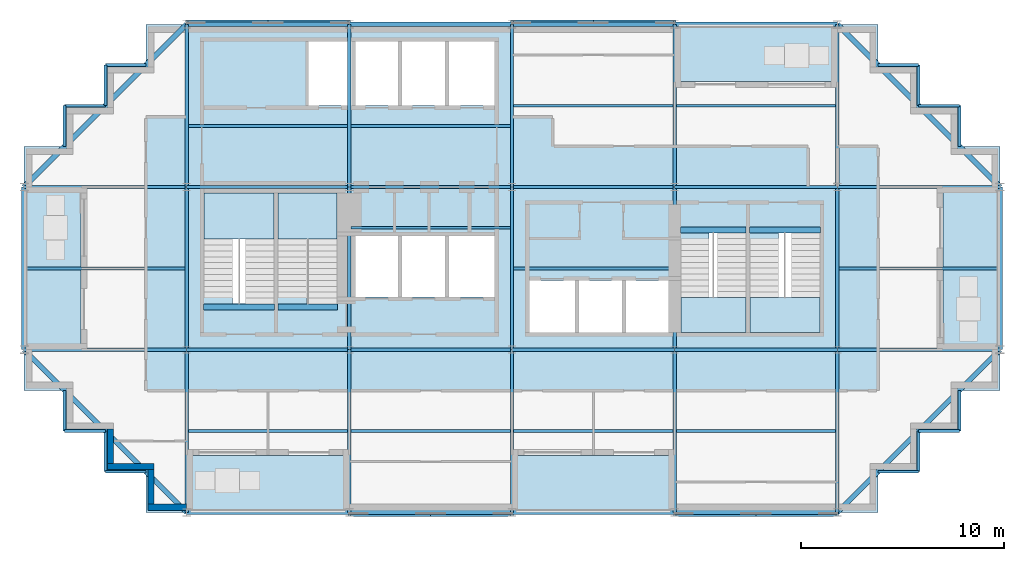
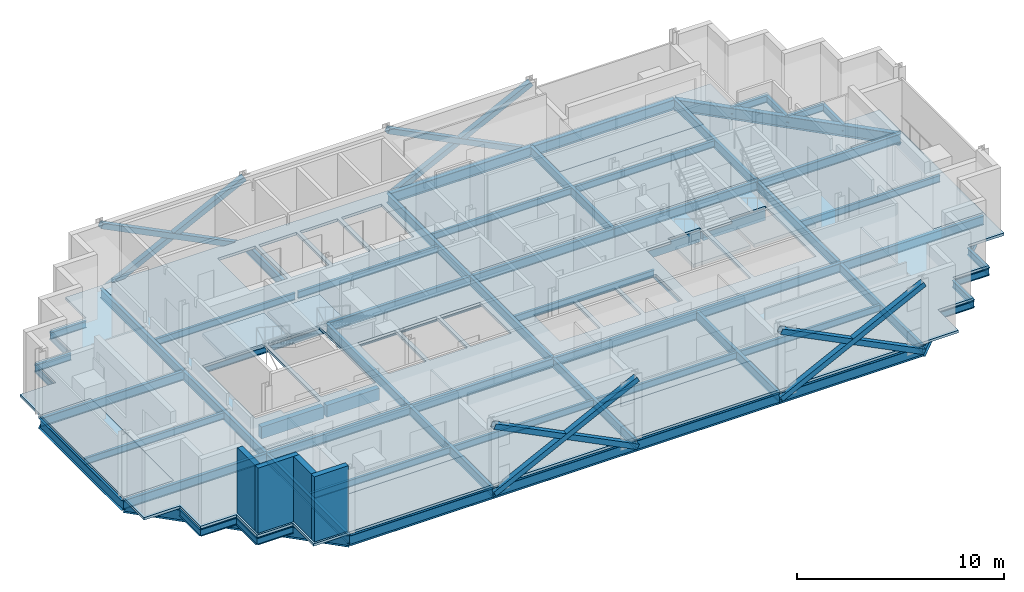
# One storey, part 3 of 10: 73 beams, 12 slabs, 8 members, 4 walls, 4 elements without a shape of their own.
"""IFC4 building model written with IfcOpenShell, lengths in metres."""

from ifc_helpers import new_model, si_unit, direction, frame, frame_2d, origin, origin_2d, place, context, subcontext, project, spatial, polyline, rectangle, hollow_rectangle, i_section, outline, extrude, material, layer, layer_set, material_profile, profile_set, type_object, element, aggregate, save


model = new_model("IFC4")

# Units and contexts
model_context = context("Model", 3, precision=1e-05, world=origin(), true_north=direction((0.0, 1.0)))
body_context = subcontext(model_context, "Body", "Model", "MODEL_VIEW")
ifc_project = project(units=[si_unit("LENGTHUNIT", "METRE"), si_unit("AREAUNIT", "SQUARE_METRE"), si_unit("VOLUMEUNIT", "CUBIC_METRE"), si_unit("PLANEANGLEUNIT", "RADIAN"), si_unit("MASSUNIT", "GRAM", prefix="KILO")], contexts=[model_context])

# Site, building, storey
site_placement = place(None, origin())
site = spatial("IfcSite", under=ifc_project, at=site_placement, CompositionType="ELEMENT")
building_placement = place(site_placement, origin())
building = spatial("IfcBuilding", under=site, at=building_placement, Name="Immortelle Media Tower", CompositionType="ELEMENT")
storey_placement = place(building_placement, frame((0.0, 0.0, 251.0)))
storey = spatial("IfcBuildingStorey", under=building, at=storey_placement, Name="L54", CompositionType="ELEMENT", Elevation=251.0)

# Members
ifc_material_1 = material(Name="Steel ASTM A500 Gr C", Category="steel")
ifc_material_profile_1 = material_profile(ifc_material_1, hollow_rectangle(XDim=0.304931640625, YDim=0.304931640625, WallThickness=0.011962890625, at=origin_2d()), Name="HSS12x12x1/2 brace")
ifc_profile_set_1 = profile_set([ifc_material_profile_1], Name="Steel ASTM A500 Gr C")
member_type = type_object("IfcMemberType", Name="HSS12x12x1/2 brace", PredefinedType="BRACE", material=ifc_profile_set_1)
for number, where, z_axis, x_axis, name in (
    (1, (16.0, -0.0625, -0.4560546875), (0.894427191, 0.0, 0.4472135955), (0.0, 1.0, 0.0), "Brace A/3-4 A"),
    (2, (16.0, -0.0625, 3.5439453125), (0.894427191, 0.0, -0.4472135955), (0.0, 1.0, 0.0), "Brace A/3-4 B"),
    (3, (32.0, -0.0625, -0.4560546875), (0.894427191, 0.0, 0.4472135955), (0.0, 1.0, 0.0), "Brace A/5-6 A"),
    (4, (32.0, -0.0625, 3.5439453125), (0.894427191, 0.0, -0.4472135955), (0.0, 1.0, 0.0), "Brace A/5-6 B"),
    (5, (32.0, 24.0625, -0.4560546875), (-0.894427191, 0.0, 0.4472135955), (0.0, -1.0, 0.0), "Brace D/4-5 A"),
    (6, (32.0, 24.0625, 3.5439453125), (-0.894427191, 0.0, -0.4472135955), (0.0, -1.0, 0.0), "Brace D/4-5 B"),
    (7, (16.0, 24.0625, -0.4560546875), (-0.894427191, 0.0, 0.4472135955), (0.0, -1.0, 0.0), "Brace D/2-3 A"),
    (8, (16.0, 24.0625, 3.5439453125), (-0.894427191, 0.0, -0.4472135955), (0.0, -1.0, 0.0), "Brace D/2-3 B"),
):
    element("IfcMember", number, at=place(storey_placement, frame(where, z_axis=z_axis, x_axis=x_axis)), inside=storey, type_object=member_type, Name=name, PredefinedType="BRACE", context=body_context, shape_type="SweptSolid", body=[
        extrude(hollow_rectangle(XDim=0.304931640625, YDim=0.304931640625, WallThickness=0.011962890625, at=origin_2d()), origin(), (0.0, 0.0, 1.0), 8.9443359375),
    ])

# Beams
ifc_material_2 = material(Name="Concrete C50/60", Category="concrete")
ifc_material_profile_2 = material_profile(ifc_material_2, rectangle(XDim=0.300048828125, YDim=0.699951171875, at=origin_2d()), Name="RC 300x700")
ifc_profile_set_2 = profile_set([ifc_material_profile_2], Name="Concrete C50/60")
beam_type_1 = type_object("IfcBeamType", Name="Stair trimmer beam 300 x 700", PredefinedType="BEAM", material=ifc_profile_set_2)
beam_1_placement = place(storey_placement, frame((8.830078125, 10.10498046875, -0.5), z_axis=(1.0, 0.0, 0.0), x_axis=(0.0, 1.0, 0.0)))
element("IfcBeam", 9, at=beam_1_placement, inside=storey, type_object=beam_type_1, Name="Stair trimmer beam SW1", PredefinedType="BEAM", context=body_context, shape_type="SweptSolid", body=[
    extrude(rectangle(XDim=0.300048828125, YDim=0.699951171875, at=origin_2d()), origin(), (0.0, 0.0, 1.0), 3.489990234375),
])
beam_2_placement = place(storey_placement, frame((12.47998046875, 10.10498046875, -0.5), z_axis=(1.0, 0.0, 0.0), x_axis=(0.0, 1.0, 0.0)))
element("IfcBeam", 10, at=beam_2_placement, inside=storey, type_object=beam_type_1, Name="Stair trimmer beam SW2", PredefinedType="BEAM", context=body_context, shape_type="SweptSolid", body=[
    extrude(rectangle(XDim=0.300048828125, YDim=0.699951171875, at=origin_2d()), origin(), (0.0, 0.0, 1.0), 2.93994140625),
])
beam_3_placement = place(storey_placement, frame((32.280029296875, 13.89501953125, -0.5), z_axis=(1.0, 0.0, 0.0), x_axis=(0.0, 1.0, 0.0)))
element("IfcBeam", 11, at=beam_3_placement, inside=storey, type_object=beam_type_1, Name="Stair trimmer beam SE1", PredefinedType="BEAM", context=body_context, shape_type="SweptSolid", body=[
    extrude(rectangle(XDim=0.300048828125, YDim=0.699951171875, at=origin_2d()), origin(), (0.0, 0.0, 1.0), 3.239990234375),
])
beam_4_placement = place(storey_placement, frame((35.679931640625, 13.89501953125, -0.5), z_axis=(1.0, 0.0, 0.0), x_axis=(0.0, 1.0, 0.0)))
element("IfcBeam", 12, at=beam_4_placement, inside=storey, type_object=beam_type_1, Name="Stair trimmer beam SE2", PredefinedType="BEAM", context=body_context, shape_type="SweptSolid", body=[
    extrude(rectangle(XDim=0.300048828125, YDim=0.699951171875, at=origin_2d()), origin(), (0.0, 0.0, 1.0), 3.489990234375),
])
ifc_material_3 = material(Name="Steel ASTM A992 Gr 50", Category="steel")
ifc_material_profile_3 = material_profile(ifc_material_3, i_section(OverallWidth=0.139892578125, OverallDepth=0.404052734375, WebThickness=0.007080078125, FlangeThickness=0.010986328125, at=origin_2d()), Name="W16x31")
ifc_profile_set_3 = profile_set([ifc_material_profile_3], Name="Steel ASTM A992 Gr 50")
beam_type_2 = type_object("IfcBeamType", Name="W16x31 secondary beam", PredefinedType="JOIST", material=ifc_profile_set_3)
for number, where, z_axis, x_axis, name in (
    (13, (8.08349609375, 4.0, -0.35205078125), (1.0, 0.0, 0.0), (0.0, 1.0, 0.0), "Beam A-B/2-3"),
    (14, (16.08349609375, 4.0, -0.35205078125), (1.0, 0.0, 0.0), (0.0, 1.0, 0.0), "Beam A-B/3-4"),
    (15, (24.08349609375, 4.0, -0.35205078125), (1.0, 0.0, 0.0), (0.0, 1.0, 0.0), "Beam A-B/4-5"),
    (16, (32.08349609375, 4.0, -0.35205078125), (1.0, 0.0, 0.0), (0.0, 1.0, 0.0), "Beam A-B/5-6"),
):
    element("IfcBeam", number, at=place(storey_placement, frame(where, z_axis=z_axis, x_axis=x_axis)), inside=storey, type_object=beam_type_2, Name=name, PredefinedType="JOIST", context=body_context, shape_type="SweptSolid", body=[
        extrude(i_section(OverallWidth=0.139892578125, OverallDepth=0.404052734375, WebThickness=0.007080078125, FlangeThickness=0.010986328125, at=origin_2d()), origin(), (0.0, 0.0, 1.0), 7.8330078125),
    ])
beam_5_placement = place(storey_placement, frame((0.114501953125, 12.0, -0.35205078125), z_axis=(1.0, 0.0, 0.0), x_axis=(0.0, 1.0, 0.0)))
element("IfcBeam", 17, at=beam_5_placement, inside=storey, type_object=beam_type_2, Name="Beam B-C/1-2", PredefinedType="JOIST", context=body_context, shape_type="SweptSolid", body=[
    extrude(i_section(OverallWidth=0.139892578125, OverallDepth=0.404052734375, WebThickness=0.007080078125, FlangeThickness=0.010986328125, at=origin_2d()), origin(), (0.0, 0.0, 1.0), 7.802001953125),
])
for number, where, z_axis, x_axis, name in (
    (18, (16.08349609375, 14.0, -0.35205078125), (1.0, 0.0, 0.0), (0.0, 1.0, 0.0), "Beam B-C/3-4"),
    (19, (24.08349609375, 12.0, -0.35205078125), (1.0, 0.0, 0.0), (0.0, 1.0, 0.0), "Beam B-C/4-5"),
):
    element("IfcBeam", number, at=place(storey_placement, frame(where, z_axis=z_axis, x_axis=x_axis)), inside=storey, type_object=beam_type_2, Name=name, PredefinedType="JOIST", context=body_context, shape_type="SweptSolid", body=[
        extrude(i_section(OverallWidth=0.139892578125, OverallDepth=0.404052734375, WebThickness=0.007080078125, FlangeThickness=0.010986328125, at=origin_2d()), origin(), (0.0, 0.0, 1.0), 7.8330078125),
    ])
beam_6_placement = place(storey_placement, frame((40.08349609375, 12.0, -0.35205078125), z_axis=(1.0, 0.0, 0.0), x_axis=(0.0, 1.0, 0.0)))
element("IfcBeam", 20, at=beam_6_placement, inside=storey, type_object=beam_type_2, Name="Beam B-C/6-7", PredefinedType="JOIST", context=body_context, shape_type="SweptSolid", body=[
    extrude(i_section(OverallWidth=0.139892578125, OverallDepth=0.404052734375, WebThickness=0.007080078125, FlangeThickness=0.010986328125, at=origin_2d()), origin(), (0.0, 0.0, 1.0), 7.802001953125),
])
for number, where, z_axis, x_axis, name in (
    (21, (8.08349609375, 19.0, -0.35205078125), (1.0, 0.0, 0.0), (0.0, 1.0, 0.0), "Beam C-D/2-3"),
    (22, (16.08349609375, 19.0, -0.35205078125), (1.0, 0.0, 0.0), (0.0, 1.0, 0.0), "Beam C-D/3-4"),
    (23, (24.08349609375, 20.0, -0.35205078125), (1.0, 0.0, 0.0), (0.0, 1.0, 0.0), "Beam C-D/4-5"),
    (24, (32.08349609375, 20.0, -0.35205078125), (1.0, 0.0, 0.0), (0.0, 1.0, 0.0), "Beam C-D/5-6"),
):
    element("IfcBeam", number, at=place(storey_placement, frame(where, z_axis=z_axis, x_axis=x_axis)), inside=storey, type_object=beam_type_2, Name=name, PredefinedType="JOIST", context=body_context, shape_type="SweptSolid", body=[
        extrude(i_section(OverallWidth=0.139892578125, OverallDepth=0.404052734375, WebThickness=0.007080078125, FlangeThickness=0.010986328125, at=origin_2d()), origin(), (0.0, 0.0, 1.0), 7.8330078125),
    ])
ifc_material_profile_4 = material_profile(ifc_material_3, i_section(OverallWidth=0.139892578125, OverallDepth=0.404052734375, WebThickness=0.007080078125, FlangeThickness=0.010986328125, at=origin_2d()), Name="W16x31")
ifc_profile_set_4 = profile_set([ifc_material_profile_4], Name="Steel ASTM A992 Gr 50")
beam_type_3 = type_object("IfcBeamType", Name="W16x31 serration edge beam", PredefinedType="SPANDREL", material=ifc_profile_set_4)
for number, where, z_axis, x_axis, name in (
    (25, (6.0, 2.0, -0.35205078125), (-1.0, 0.0, 0.0), (0.0, -1.0, 0.0), "Corner edge beam 1 at 1/A"),
    (26, (4.0, 2.0, -0.35205078125), (0.0, 1.0, 0.0), (-1.0, 0.0, 0.0), "Corner edge beam 2 at 1/A"),
    (27, (4.0, 4.0, -0.35205078125), (-1.0, 0.0, 0.0), (0.0, -1.0, 0.0), "Corner edge beam 3 at 1/A"),
    (28, (2.0, 4.0, -0.35205078125), (0.0, 1.0, 0.0), (-1.0, 0.0, 0.0), "Corner edge beam 4 at 1/A"),
    (29, (2.0, 18.0, -0.35205078125), (0.0, 1.0, 0.0), (-1.0, 0.0, 0.0), "Corner edge beam 1 at 1/D"),
    (30, (2.0, 20.0, -0.35205078125), (1.0, 0.0, 0.0), (0.0, 1.0, 0.0), "Corner edge beam 2 at 1/D"),
    (31, (4.0, 20.0, -0.35205078125), (0.0, 1.0, 0.0), (-1.0, 0.0, 0.0), "Corner edge beam 3 at 1/D"),
    (32, (4.0, 22.0, -0.35205078125), (1.0, 0.0, 0.0), (0.0, 1.0, 0.0), "Corner edge beam 4 at 1/D"),
    (33, (46.0, 6.0, -0.35205078125), (0.0, -1.0, 0.0), (1.0, 0.0, 0.0), "Corner edge beam 1 at 7/A"),
    (34, (46.0, 4.0, -0.35205078125), (-1.0, 0.0, 0.0), (0.0, -1.0, 0.0), "Corner edge beam 2 at 7/A"),
    (35, (44.0, 4.0, -0.35205078125), (0.0, -1.0, 0.0), (1.0, 0.0, 0.0), "Corner edge beam 3 at 7/A"),
    (36, (44.0, 2.0, -0.35205078125), (-1.0, 0.0, 0.0), (0.0, -1.0, 0.0), "Corner edge beam 4 at 7/A"),
    (37, (42.0, 22.0, -0.35205078125), (1.0, 0.0, 0.0), (0.0, 1.0, 0.0), "Corner edge beam 1 at 7/D"),
    (38, (44.0, 22.0, -0.35205078125), (0.0, -1.0, 0.0), (1.0, 0.0, 0.0), "Corner edge beam 2 at 7/D"),
    (39, (44.0, 20.0, -0.35205078125), (1.0, 0.0, 0.0), (0.0, 1.0, 0.0), "Corner edge beam 3 at 7/D"),
    (40, (46.0, 20.0, -0.35205078125), (0.0, -1.0, 0.0), (1.0, 0.0, 0.0), "Corner edge beam 4 at 7/D"),
):
    element("IfcBeam", number, at=place(storey_placement, frame(where, z_axis=z_axis, x_axis=x_axis)), inside=storey, type_object=beam_type_3, Name=name, PredefinedType="SPANDREL", context=body_context, shape_type="SweptSolid", body=[
        extrude(i_section(OverallWidth=0.139892578125, OverallDepth=0.404052734375, WebThickness=0.007080078125, FlangeThickness=0.010986328125, at=origin_2d()), origin(), (0.0, 0.0, 1.0), 2.0),
    ])
ifc_material_profile_5 = material_profile(ifc_material_3, i_section(OverallWidth=0.1669921875, OverallDepth=0.535888671875, WebThickness=0.010009765625, FlangeThickness=0.01708984375, at=origin_2d()), Name="W21x57")
ifc_profile_set_5 = profile_set([ifc_material_profile_5], Name="Steel ASTM A992 Gr 50")
beam_type_4 = type_object("IfcBeamType", Name="W21x57 girder", PredefinedType="BEAM", material=ifc_profile_set_5)
for number, where, z_axis, x_axis, name in (
    (41, (0.0, 8.0, -0.41796875), (1.0, 0.0, 0.0), (0.0, 1.0, 0.0), "Girder B/1-2"),
    (42, (0.0, 16.0, -0.41796875), (1.0, 0.0, 0.0), (0.0, 1.0, 0.0), "Girder C/1-2"),
    (43, (8.0, 0.0, -0.41796875), (0.0, 1.0, 0.0), (-1.0, 0.0, 0.0), "Girder 2/A-B"),
    (44, (8.0, 8.0, -0.41796875), (1.0, 0.0, 0.0), (0.0, 1.0, 0.0), "Girder B/2-3"),
    (45, (8.0, 8.0, -0.41796875), (0.0, 1.0, 0.0), (-1.0, 0.0, 0.0), "Girder 2/B-C"),
    (46, (8.0, 16.0, -0.41796875), (1.0, 0.0, 0.0), (0.0, 1.0, 0.0), "Girder C/2-3"),
    (47, (8.0, 16.0, -0.41796875), (0.0, 1.0, 0.0), (-1.0, 0.0, 0.0), "Girder 2/C-D"),
    (48, (16.0, 0.0, -0.41796875), (0.0, 1.0, 0.0), (-1.0, 0.0, 0.0), "Girder 3/A-B"),
    (49, (16.0, 8.0, -0.41796875), (1.0, 0.0, 0.0), (0.0, 1.0, 0.0), "Girder B/3-4"),
    (50, (16.0, 8.0, -0.41796875), (0.0, 1.0, 0.0), (-1.0, 0.0, 0.0), "Girder 3/B-C"),
    (51, (16.0, 16.0, -0.41796875), (1.0, 0.0, 0.0), (0.0, 1.0, 0.0), "Girder C/3-4"),
    (52, (16.0, 16.0, -0.41796875), (0.0, 1.0, 0.0), (-1.0, 0.0, 0.0), "Girder 3/C-D"),
    (53, (24.0, 0.0, -0.41796875), (0.0, 1.0, 0.0), (-1.0, 0.0, 0.0), "Girder 4/A-B"),
    (54, (24.0, 8.0, -0.41796875), (1.0, 0.0, 0.0), (0.0, 1.0, 0.0), "Girder B/4-5"),
    (55, (24.0, 8.0, -0.41796875), (0.0, 1.0, 0.0), (-1.0, 0.0, 0.0), "Girder 4/B-C"),
    (56, (24.0, 16.0, -0.41796875), (1.0, 0.0, 0.0), (0.0, 1.0, 0.0), "Girder C/4-5"),
    (57, (24.0, 16.0, -0.41796875), (0.0, 1.0, 0.0), (-1.0, 0.0, 0.0), "Girder 4/C-D"),
    (58, (32.0, 0.0, -0.41796875), (0.0, 1.0, 0.0), (-1.0, 0.0, 0.0), "Girder 5/A-B"),
    (59, (32.0, 8.0, -0.41796875), (1.0, 0.0, 0.0), (0.0, 1.0, 0.0), "Girder B/5-6"),
    (60, (32.0, 8.0, -0.41796875), (0.0, 1.0, 0.0), (-1.0, 0.0, 0.0), "Girder 5/B-C"),
    (61, (32.0, 16.0, -0.41796875), (1.0, 0.0, 0.0), (0.0, 1.0, 0.0), "Girder C/5-6"),
    (62, (32.0, 16.0, -0.41796875), (0.0, 1.0, 0.0), (-1.0, 0.0, 0.0), "Girder 5/C-D"),
    (63, (40.0, 0.0, -0.41796875), (0.0, 1.0, 0.0), (-1.0, 0.0, 0.0), "Girder 6/A-B"),
    (64, (40.0, 8.0, -0.41796875), (1.0, 0.0, 0.0), (0.0, 1.0, 0.0), "Girder B/6-7"),
    (65, (40.0, 8.0, -0.41796875), (0.0, 1.0, 0.0), (-1.0, 0.0, 0.0), "Girder 6/B-C"),
    (66, (40.0, 16.0, -0.41796875), (1.0, 0.0, 0.0), (0.0, 1.0, 0.0), "Girder C/6-7"),
    (67, (40.0, 16.0, -0.41796875), (0.0, 1.0, 0.0), (-1.0, 0.0, 0.0), "Girder 6/C-D"),
):
    element("IfcBeam", number, at=place(storey_placement, frame(where, z_axis=z_axis, x_axis=x_axis)), inside=storey, type_object=beam_type_4, Name=name, PredefinedType="BEAM", context=body_context, shape_type="SweptSolid", body=[
        extrude(i_section(OverallWidth=0.1669921875, OverallDepth=0.535888671875, WebThickness=0.010009765625, FlangeThickness=0.01708984375, at=origin_2d()), origin(), (0.0, 0.0, 1.0), 8.0),
    ])
ifc_material_profile_6 = material_profile(ifc_material_3, i_section(OverallWidth=0.22900390625, OverallDepth=0.612060546875, WebThickness=0.011962890625, FlangeThickness=0.02001953125, at=origin_2d()), Name="W24x84")
ifc_profile_set_6 = profile_set([ifc_material_profile_6], Name="Steel ASTM A992 Gr 50")
beam_type_5 = type_object("IfcBeamType", Name="W24x84 perimeter girder", PredefinedType="SPANDREL", material=ifc_profile_set_6)
for number, where, z_axis, x_axis, name in (
    (68, (0.0, 8.0, -0.4560546875), (0.0, 1.0, 0.0), (-1.0, 0.0, 0.0), "Girder 1/B-C"),
    (69, (8.0, 0.0, -0.4560546875), (1.0, 0.0, 0.0), (0.0, 1.0, 0.0), "Girder A/2-3"),
    (70, (8.0, 24.0, -0.4560546875), (1.0, 0.0, 0.0), (0.0, 1.0, 0.0), "Girder D/2-3"),
    (71, (16.0, 0.0, -0.4560546875), (1.0, 0.0, 0.0), (0.0, 1.0, 0.0), "Girder A/3-4"),
    (72, (16.0, 24.0, -0.4560546875), (1.0, 0.0, 0.0), (0.0, 1.0, 0.0), "Girder D/3-4"),
    (73, (24.0, 0.0, -0.4560546875), (1.0, 0.0, 0.0), (0.0, 1.0, 0.0), "Girder A/4-5"),
    (74, (24.0, 24.0, -0.4560546875), (1.0, 0.0, 0.0), (0.0, 1.0, 0.0), "Girder D/4-5"),
    (75, (32.0, 0.0, -0.4560546875), (1.0, 0.0, 0.0), (0.0, 1.0, 0.0), "Girder A/5-6"),
    (76, (32.0, 24.0, -0.4560546875), (1.0, 0.0, 0.0), (0.0, 1.0, 0.0), "Girder D/5-6"),
    (77, (48.0, 8.0, -0.4560546875), (0.0, 1.0, 0.0), (-1.0, 0.0, 0.0), "Girder 7/B-C"),
):
    element("IfcBeam", number, at=place(storey_placement, frame(where, z_axis=z_axis, x_axis=x_axis)), inside=storey, type_object=beam_type_5, Name=name, PredefinedType="SPANDREL", context=body_context, shape_type="SweptSolid", body=[
        extrude(i_section(OverallWidth=0.22900390625, OverallDepth=0.612060546875, WebThickness=0.011962890625, FlangeThickness=0.02001953125, at=origin_2d()), origin(), (0.0, 0.0, 1.0), 8.0),
    ])
ifc_material_profile_7 = material_profile(ifc_material_3, i_section(OverallWidth=0.2529296875, OverallDepth=0.677978515625, WebThickness=0.011962890625, FlangeThickness=0.01611328125, at=origin_2d()), Name="W27x84")
ifc_profile_set_7 = profile_set([ifc_material_profile_7], Name="Steel ASTM A992 Gr 50")
beam_type_6 = type_object("IfcBeamType", Name="W27x84 corner girder", PredefinedType="SPANDREL", material=ifc_profile_set_7)
for number, where, z_axis, x_axis, name in (
    (78, (8.0, 0.0, -0.489013671875), (-0.707106781187, 0.707106781187, 0.0), (-0.707106781187, -0.707106781187, 0.0), "Corner girder at 1/A"),
    (79, (0.0, 16.0, -0.489013671875), (0.707106781187, 0.707106781187, 0.0), (-0.707106781187, 0.707106781187, 0.0), "Corner girder at 1/D"),
    (80, (48.0, 8.0, -0.489013671875), (-0.707106781187, -0.707106781187, 0.0), (0.707106781187, -0.707106781187, 0.0), "Corner girder at 7/A"),
    (81, (40.0, 24.0, -0.489013671875), (0.707106781187, -0.707106781187, 0.0), (0.707106781187, 0.707106781187, 0.0), "Corner girder at 7/D"),
):
    element("IfcBeam", number, at=place(storey_placement, frame(where, z_axis=z_axis, x_axis=x_axis)), inside=storey, type_object=beam_type_6, Name=name, PredefinedType="SPANDREL", context=body_context, shape_type="SweptSolid", body=[
        extrude(i_section(OverallWidth=0.2529296875, OverallDepth=0.677978515625, WebThickness=0.011962890625, FlangeThickness=0.01611328125, at=origin_2d()), origin(), (0.0, 0.0, 1.0), 11.313720703125),
    ])

# Slabs
ifc_material_4 = material(Name="Concrete C50/60 composite deck", Category="concrete")
ifc_layer_1 = layer(ifc_material_4, 0.14990234375)
ifc_layer_set_1 = layer_set([ifc_layer_1], Name="Concrete C50/60 composite deck")
slab_type_1 = type_object("IfcSlabType", Name="Balcony slab 150", PredefinedType="FLOOR", material=ifc_layer_set_1)
slab_1_placement = place(storey_placement, frame((0.0, 0.0, -0.14990234375)))
element("IfcSlab", 82, at=slab_1_placement, inside=storey, type_object=slab_type_1, Name="Balcony slab L54 S0", PredefinedType="FLOOR", context=body_context, shape_type="SweptSolid", body=[
    extrude(outline(polyline([(16.0, 0.0), (16.0, 2.800048828125), (8.0, 2.800048828125), (8.0, 0.0), (16.0, 0.0)])), origin(), (0.0, 0.0, 1.0), 0.14990234375),
])
slab_2_placement = place(storey_placement, frame((0.0, 0.0, -0.14990234375)))
element("IfcSlab", 83, at=slab_2_placement, inside=storey, type_object=slab_type_1, Name="Balcony slab L54 S2", PredefinedType="FLOOR", context=body_context, shape_type="SweptSolid", body=[
    extrude(outline(polyline([(32.0, 0.0), (32.0, 2.800048828125), (24.0, 2.800048828125), (24.0, 0.0), (32.0, 0.0)])), origin(), (0.0, 0.0, 1.0), 0.14990234375),
])
slab_3_placement = place(storey_placement, frame((0.0, 0.0, -0.14990234375)))
element("IfcSlab", 84, at=slab_3_placement, inside=storey, type_object=slab_type_1, Name="Balcony slab L54 E0", PredefinedType="FLOOR", context=body_context, shape_type="SweptSolid", body=[
    extrude(outline(polyline([(48.0, 8.0), (48.0, 16.0), (45.199951171875, 16.0), (45.199951171875, 8.0), (48.0, 8.0)])), origin(), (0.0, 0.0, 1.0), 0.14990234375),
])
slab_4_placement = place(storey_placement, frame((0.0, 0.0, -0.14990234375)))
element("IfcSlab", 85, at=slab_4_placement, inside=storey, type_object=slab_type_1, Name="Balcony slab L54 N0", PredefinedType="FLOOR", context=body_context, shape_type="SweptSolid", body=[
    extrude(outline(polyline([(40.0, 21.199951171875), (40.0, 24.0), (32.0, 24.0), (32.0, 21.199951171875), (40.0, 21.199951171875)])), origin(), (0.0, 0.0, 1.0), 0.14990234375),
])
slab_5_placement = place(storey_placement, frame((0.0, 0.0, -0.14990234375)))
element("IfcSlab", 86, at=slab_5_placement, inside=storey, type_object=slab_type_1, Name="Balcony slab L54 W0", PredefinedType="FLOOR", context=body_context, shape_type="SweptSolid", body=[
    extrude(outline(polyline([(2.800048828125, 8.0), (2.800048828125, 16.0), (0.0, 16.0), (0.0, 8.0), (2.800048828125, 8.0)])), origin(), (0.0, 0.0, 1.0), 0.14990234375),
])
ifc_layer_2 = layer(ifc_material_2, 0.14990234375)
ifc_layer_set_2 = layer_set([ifc_layer_2], Name="Concrete C50/60")
slab_type_2 = type_object("IfcSlabType", Name="Composite floor slab 150", PredefinedType="FLOOR", material=ifc_layer_set_2)
slab_6_placement = place(storey_placement, frame((0.0, 0.0, -0.14990234375)))
element("IfcSlab", 87, at=slab_6_placement, inside=storey, type_object=slab_type_2, Name="Floor slab L54", PredefinedType="FLOOR", context=body_context, shape_type="SweptSolid", body=[
    extrude(outline(polyline([(6.0, 0.0), (6.0, 2.0), (4.0, 2.0), (4.0, 4.0), (2.0, 4.0), (2.0, 6.0), (0.0, 6.0), (0.0, 8.0), (2.800048828125, 8.0), (2.800048828125, 16.0), (0.0, 16.0), (0.0, 18.0), (2.0, 18.0), (2.0, 20.0), (4.0, 20.0), (4.0, 22.0), (6.0, 22.0), (6.0, 24.0), (8.0, 24.0), (8.0, 8.0), (24.0, 8.0), (40.0, 8.0), (40.0, 16.0), (24.0, 16.0), (24.0, 21.199951171875), (24.0, 24.0), (32.0, 24.0), (32.0, 21.199951171875), (40.0, 21.199951171875), (40.0, 24.0), (42.0, 24.0), (42.0, 22.0), (44.0, 22.0), (44.0, 20.0), (46.0, 20.0), (46.0, 18.0), (48.0, 18.0), (48.0, 16.0), (45.199951171875, 16.0), (45.199951171875, 8.0), (48.0, 8.0), (48.0, 6.0), (46.0, 6.0), (46.0, 4.0), (44.0, 4.0), (44.0, 2.0), (42.0, 2.0), (42.0, 0.0), (32.0, 0.0), (32.0, 2.800048828125), (24.0, 2.800048828125), (24.0, 0.0), (16.0, 0.0), (16.0, 2.800048828125), (8.0, 2.800048828125), (8.0, 0.0), (6.0, 0.0)])), origin(), (0.0, 0.0, 1.0), 0.14990234375),
])
ifc_layer_3 = layer(ifc_material_2, 0.14990234375)
ifc_layer_set_3 = layer_set([ifc_layer_3], Name="Concrete C50/60")
slab_type_3 = type_object("IfcSlabType", Name="Core floor slab 150", PredefinedType="FLOOR", material=ifc_layer_set_3)
slab_7_placement = place(storey_placement, frame((0.0, 0.0, -0.14990234375)))
element("IfcSlab", 88, at=slab_7_placement, inside=storey, type_object=slab_type_3, Name="Core floor SW", PredefinedType="FLOOR", context=body_context, shape_type="SweptSolid", body=[
    extrude(outline(polyline([(8.0, 8.0), (24.0, 8.0), (24.0, 24.0), (8.0, 24.0), (8.0, 8.0)]), holes=[polyline([(14.0, 20.0), (16.10009765625, 20.0), (16.10009765625, 23.14990234375), (14.0, 23.14990234375), (14.0, 20.0)]), polyline([(16.300048828125, 20.0), (18.39990234375, 20.0), (18.39990234375, 23.14990234375), (16.300048828125, 23.14990234375), (16.300048828125, 20.0)]), polyline([(18.60009765625, 20.0), (20.699951171875, 20.0), (20.699951171875, 23.14990234375), (18.60009765625, 23.14990234375), (18.60009765625, 20.0)]), polyline([(20.89990234375, 20.0), (23.14990234375, 20.0), (23.14990234375, 23.14990234375), (20.89990234375, 23.14990234375), (20.89990234375, 20.0)]), polyline([(16.300048828125, 10.60009765625), (18.39990234375, 10.60009765625), (18.39990234375, 13.60009765625), (16.300048828125, 13.60009765625), (16.300048828125, 10.60009765625)]), polyline([(18.60009765625, 10.60009765625), (20.699951171875, 10.60009765625), (20.699951171875, 13.60009765625), (18.60009765625, 13.60009765625), (18.60009765625, 10.60009765625)]), polyline([(20.89990234375, 10.60009765625), (23.14990234375, 10.60009765625), (23.14990234375, 13.60009765625), (20.89990234375, 13.60009765625), (20.89990234375, 10.60009765625)]), polyline([(8.85009765625, 15.699951171875), (12.300048828125, 15.699951171875), (12.300048828125, 10.27001953125), (10.25, 10.27001953125), (10.25, 10.56005859375), (8.85009765625, 10.56005859375), (8.85009765625, 15.699951171875)]), polyline([(12.5, 15.699951171875), (15.39990234375, 15.699951171875), (15.39990234375, 10.27001953125), (13.89990234375, 10.27001953125), (13.89990234375, 10.56005859375), (12.5, 10.56005859375), (12.5, 15.699951171875)])]), origin(), (0.0, 0.0, 1.0), 0.14990234375),
])
slab_8_placement = place(storey_placement, frame((0.0, 0.0, -0.14990234375)))
element("IfcSlab", 89, at=slab_8_placement, inside=storey, type_object=slab_type_3, Name="Core floor SE", PredefinedType="FLOOR", context=body_context, shape_type="SweptSolid", body=[
    extrude(outline(polyline([(24.0, 8.0), (40.0, 8.0), (40.0, 16.0), (24.0, 16.0), (24.0, 8.0)]), holes=[polyline([(24.85009765625, 8.85009765625), (27.10009765625, 8.85009765625), (27.10009765625, 11.39990234375), (24.85009765625, 11.39990234375), (24.85009765625, 8.85009765625)]), polyline([(27.300048828125, 8.85009765625), (29.39990234375, 8.85009765625), (29.39990234375, 11.39990234375), (27.300048828125, 11.39990234375), (27.300048828125, 8.85009765625)]), polyline([(29.60009765625, 8.85009765625), (31.699951171875, 8.85009765625), (31.699951171875, 11.39990234375), (29.60009765625, 11.39990234375), (29.60009765625, 8.85009765625)]), polyline([(35.5, 13.72998046875), (35.5, 8.85009765625), (32.300048828125, 8.85009765625), (32.300048828125, 13.43994140625), (33.699951171875, 13.43994140625), (33.699951171875, 13.72998046875), (35.5, 13.72998046875)]), polyline([(39.14990234375, 13.72998046875), (39.14990234375, 8.85009765625), (35.699951171875, 8.85009765625), (35.699951171875, 13.43994140625), (37.10009765625, 13.43994140625), (37.10009765625, 13.72998046875), (39.14990234375, 13.72998046875)])]), origin(), (0.0, 0.0, 1.0), 0.14990234375),
])

# Stair, slab
stair_type = type_object("IfcStairType", Name="Stair with flights", PredefinedType="DOUBLE_RETURN_STAIR", material=ifc_material_3)
stair_1_placement = place(storey_placement, origin())
stair_1 = element("IfcStair", 90, at=stair_1_placement, inside=storey, type_object=stair_type, Name="Exit stair SW1", PredefinedType="DOUBLE_RETURN_STAIR")
ifc_material_5 = material(Name="Steel ASTM A572 Gr 50", Category="steel")
ifc_layer_4 = layer(ifc_material_5, 0.199951171875)
ifc_layer_set_4 = layer_set([ifc_layer_4], Name="Steel ASTM A572 Gr 50")
slab_type_4 = type_object("IfcSlabType", Name="Stair landing 200", PredefinedType="LANDING", material=ifc_layer_set_4)
slab_9_placement = place(storey_placement, frame((0.0, 0.0, 1.713134765625)))
slab_9 = element("IfcSlab", 91, at=slab_9_placement, type_object=slab_type_4, Name="ST SW1 landing 1", PredefinedType="LANDING", context=body_context, shape_type="SweptSolid", body=[
    extrude(outline(polyline([(8.85009765625, 13.43994140625), (12.300048828125, 13.43994140625), (12.300048828125, 15.699951171875), (8.85009765625, 15.699951171875), (8.85009765625, 13.43994140625)])), origin(), (0.0, 0.0, 1.0), 0.199951171875),
])
aggregate(stair_1, [slab_9])

stair_2_placement = place(storey_placement, origin())
stair_2 = element("IfcStair", 92, at=stair_2_placement, inside=storey, type_object=stair_type, Name="Exit stair SW2", PredefinedType="DOUBLE_RETURN_STAIR")
slab_10_placement = place(storey_placement, frame((0.0, 0.0, 1.713134765625)))
slab_10 = element("IfcSlab", 93, at=slab_10_placement, type_object=slab_type_4, Name="ST SW2 landing 1", PredefinedType="LANDING", context=body_context, shape_type="SweptSolid", body=[
    extrude(outline(polyline([(12.5, 13.43994140625), (15.39990234375, 13.43994140625), (15.39990234375, 15.699951171875), (12.5, 15.699951171875), (12.5, 13.43994140625)])), origin(), (0.0, 0.0, 1.0), 0.199951171875),
])
aggregate(stair_2, [slab_10])

stair_3_placement = place(storey_placement, origin())
stair_3 = element("IfcStair", 94, at=stair_3_placement, inside=storey, type_object=stair_type, Name="Exit stair SE1", PredefinedType="DOUBLE_RETURN_STAIR")
slab_11_placement = place(storey_placement, frame((0.0, 0.0, 1.713134765625)))
slab_11 = element("IfcSlab", 95, at=slab_11_placement, type_object=slab_type_4, Name="ST SE1 landing 1", PredefinedType="LANDING", context=body_context, shape_type="SweptSolid", body=[
    extrude(outline(polyline([(32.300048828125, 8.85009765625), (35.5, 8.85009765625), (35.5, 10.56005859375), (32.300048828125, 10.56005859375), (32.300048828125, 8.85009765625)])), origin(), (0.0, 0.0, 1.0), 0.199951171875),
])
aggregate(stair_3, [slab_11])

stair_4_placement = place(storey_placement, origin())
stair_4 = element("IfcStair", 96, at=stair_4_placement, inside=storey, type_object=stair_type, Name="Exit stair SE2", PredefinedType="DOUBLE_RETURN_STAIR")
slab_12_placement = place(storey_placement, frame((0.0, 0.0, 1.713134765625)))
slab_12 = element("IfcSlab", 97, at=slab_12_placement, type_object=slab_type_4, Name="ST SE2 landing 1", PredefinedType="LANDING", context=body_context, shape_type="SweptSolid", body=[
    extrude(outline(polyline([(35.699951171875, 8.85009765625), (39.14990234375, 8.85009765625), (39.14990234375, 10.56005859375), (35.699951171875, 10.56005859375), (35.699951171875, 8.85009765625)])), origin(), (0.0, 0.0, 1.0), 0.199951171875),
])
aggregate(stair_4, [slab_12])

# Walls
ifc_material_6 = material(Name="Pale aluminium cladding panel", Category="aluminium")
ifc_layer_5 = layer(ifc_material_6, 0.030029296875)
ifc_material_7 = material(Name="Steel ASTM A653 SS Gr 50 stud frame with mineral wool", Category="steel")
ifc_layer_6 = layer(ifc_material_7, 0.257568359375)
ifc_material_8 = material(Name="Moisture-resistant gypsum board", Category="gypsum")
ifc_layer_7 = layer(ifc_material_8, 0.012451171875)
ifc_layer_set_5 = layer_set([ifc_layer_5, ifc_layer_6, ifc_layer_7], Name="Steel ASTM A653 SS Gr 50 stud frame with mineral wool")
wall_type = type_object("IfcWallType", Name="Facade wall 300", PredefinedType="SOLIDWALL", material=ifc_layer_set_5)
wall_1_placement = place(storey_placement, frame((4.25, 4.10009765625, 0.0), z_axis=(0.0, 0.0, 1.0), x_axis=(0.0, -1.0, 0.0)))
element("IfcWall", 98, at=wall_1_placement, inside=storey, type_object=wall_type, Name="Facade wall L54 W3", PredefinedType="SOLIDWALL", context=body_context, shape_type="SweptSolid", body=[
    extrude(rectangle(XDim=1.7001953125, YDim=0.300048828125, at=frame_2d((0.85009765625, 0.0))), origin(), (0.0, 0.0, 1.0), 3.85009765625),
])
wall_2_placement = place(storey_placement, frame((4.10009765625, 2.25, 0.0), z_axis=(0.0, 0.0, 1.0), x_axis=(1.0, 0.0, 0.0)))
element("IfcWall", 99, at=wall_2_placement, inside=storey, type_object=wall_type, Name="Facade wall L54 S4", PredefinedType="SOLIDWALL", context=body_context, shape_type="SweptSolid", body=[
    extrude(rectangle(XDim=2.2998046875, YDim=0.300048828125, at=frame_2d((1.14990234375, 0.0))), origin(), (0.0, 0.0, 1.0), 3.85009765625),
])
wall_3_placement = place(storey_placement, frame((6.25, 2.10009765625, 0.0), z_axis=(0.0, 0.0, 1.0), x_axis=(0.0, -1.0, 0.0)))
element("IfcWall", 100, at=wall_3_placement, inside=storey, type_object=wall_type, Name="Facade wall L54 W5", PredefinedType="SOLIDWALL", context=body_context, shape_type="SweptSolid", body=[
    extrude(rectangle(XDim=1.7001953125, YDim=0.300048828125, at=frame_2d((0.85009765625, 0.0))), origin(), (0.0, 0.0, 1.0), 3.85009765625),
])
wall_4_placement = place(storey_placement, frame((6.10009765625, 0.25, 0.0), z_axis=(0.0, 0.0, 1.0), x_axis=(1.0, 0.0, 0.0)))
element("IfcWall", 101, at=wall_4_placement, inside=storey, type_object=wall_type, Name="Facade wall L54 S6", PredefinedType="SOLIDWALL", context=body_context, shape_type="SweptSolid", body=[
    extrude(rectangle(XDim=1.89990234375, YDim=0.300048828125, at=frame_2d((0.949951171875, 0.0))), origin(), (0.0, 0.0, 1.0), 3.85009765625),
])

save(model, "model.ifc")
